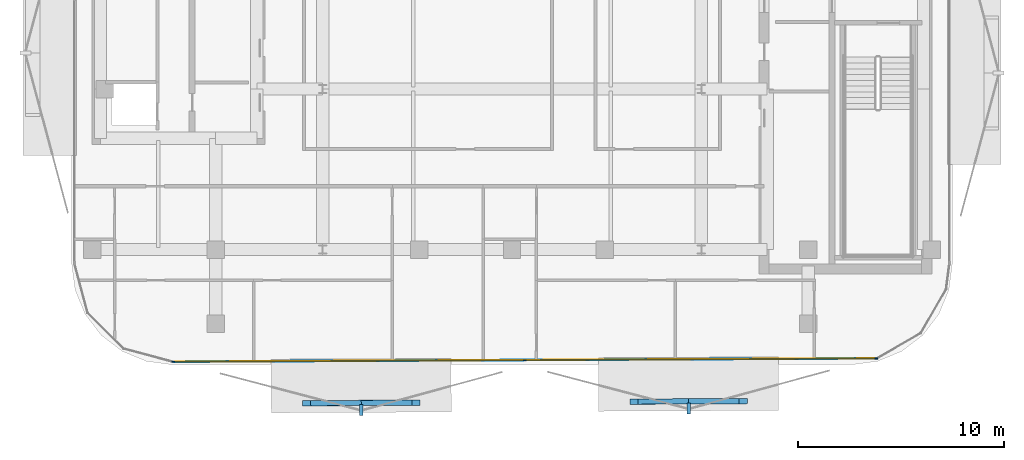
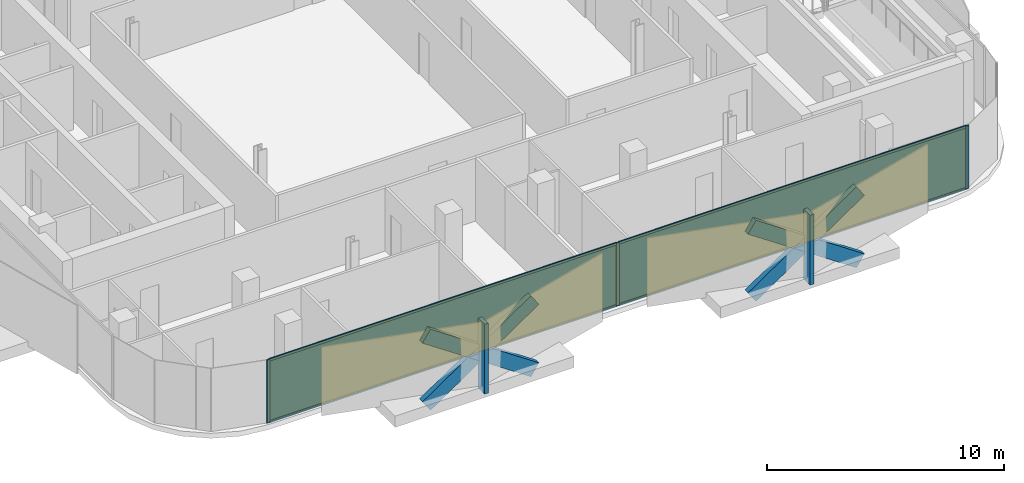
# One storey, part 7 of 15: 13 members, 2 plates, 1 curtain wall.
"""IFC4 building model written with IfcOpenShell, lengths in metres."""

import ifcopenshell
import ifcopenshell.guid

model = None  # the IFC model being written
_history = None  # IfcOwnerHistory: only IFC2X3 demands one
_inside = {}  # id of a spatial element -> (the spatial element, [elements in it])
_under = {}  # id of a project, library or spatial element -> (it, [spatial elements below it])
_declared = {}  # id of a project -> (the project, [libraries it declares])
_typed = {}  # id of a type object -> (the type object, [elements of that type])
_made_of = {}  # id of a material, layer set ... -> (it, [elements and type objects made of it])


def new_model(schema):
    """Start an empty IFC model of exactly this schema.

    Asked for "IFC4X3", IfcOpenShell would pick the latest addendum, in which some entities
    have other attributes; the version numbers below select the first issue.
    IFC2X3 requires an IfcOwnerHistory on every rooted entity: one is made here for all.
    """
    global model, _history
    if schema == "IFC4X3":
        model = ifcopenshell.file(schema_version=(4, 3, 0, 0))
    else:
        model = ifcopenshell.file(schema=schema)
    _inside.clear()
    _under.clear()
    _declared.clear()
    _typed.clear()
    _made_of.clear()
    _history = None
    if model.schema == "IFC2X3":
        org = make("IfcOrganization", Name="unknown")
        user = make(
            "IfcPersonAndOrganization",
            ThePerson=make("IfcPerson", FamilyName="unknown"),
            TheOrganization=org,
        )
        app = make(
            "IfcApplication",
            ApplicationDeveloper=org,
            Version="unknown",
            ApplicationFullName="unknown",
            ApplicationIdentifier="unknown",
        )
        _history = make(
            "IfcOwnerHistory",
            OwningUser=user,
            OwningApplication=app,
            ChangeAction="ADDED",
            CreationDate=0,
        )
    return model


def make(cls, **values):
    """One entity of the class cls with the attributes given. An attribute that is None is left unset."""
    return model.create_entity(
        cls, **{name: value for name, value in values.items() if value is not None}
    )


def rooted(cls, **values):
    """An entity with a GlobalId (a new one), such as an element, a storey or a relation."""
    return make(cls, GlobalId=ifcopenshell.guid.new(), OwnerHistory=_history, **values)


def si_unit(unit_type, name, prefix=None):
    """IfcSIUnit, for example si_unit("LENGTHUNIT", "METRE", prefix="MILLI")."""
    return make("IfcSIUnit", UnitType=unit_type, Prefix=prefix, Name=name)


def assignment(units):
    """IfcUnitAssignment: the units of a project."""
    return None if units is None else make("IfcUnitAssignment", Units=units)


def point(xyz):
    """IfcCartesianPoint."""
    return None if xyz is None else make("IfcCartesianPoint", Coordinates=xyz)


def direction(xyz):
    """IfcDirection."""
    return None if xyz is None else make("IfcDirection", DirectionRatios=xyz)


def frame(location, z_axis=None, x_axis=None):
    """IfcAxis2Placement3D, a coordinate frame: its origin and axes. An axis left out is left unset."""
    return make(
        "IfcAxis2Placement3D",
        Location=point(location),
        Axis=direction(z_axis),
        RefDirection=direction(x_axis),
    )


def frame_2d(location, x_axis=None):
    """IfcAxis2Placement2D, a coordinate frame in the plane: its origin and x axis."""
    return make(
        "IfcAxis2Placement2D", Location=point(location), RefDirection=direction(x_axis)
    )


def origin():
    """The frame at (0, 0, 0) with its axes left unset."""
    return frame((0.0, 0.0, 0.0))


def origin_2d():
    """The frame at (0, 0) in the plane with its x axis left unset."""
    return frame_2d((0.0, 0.0))


def place(relative_to, where):
    """IfcLocalPlacement: puts the frame where relative to a parent placement (None: the world)."""
    return make(
        "IfcLocalPlacement", PlacementRelTo=relative_to, RelativePlacement=where
    )


def context(
    kind, dimensions, precision=None, world=None, true_north=None, identifier=None
):
    """IfcGeometricRepresentationContext, for example the 3D "Model" context."""
    return make(
        "IfcGeometricRepresentationContext",
        ContextIdentifier=identifier,
        ContextType=kind,
        CoordinateSpaceDimension=dimensions,
        Precision=precision,
        WorldCoordinateSystem=world,
        TrueNorth=true_north,
    )


def subcontext(parent, identifier, kind, view, scale=None):
    """IfcGeometricRepresentationSubContext, for example "Body" below "Model"."""
    return make(
        "IfcGeometricRepresentationSubContext",
        ContextIdentifier=identifier,
        ContextType=kind,
        ParentContext=parent,
        TargetScale=scale,
        TargetView=view,
    )


def project(units=None, contexts=None):
    """IfcProject with its units and contexts."""
    return rooted(
        "IfcProject",
        Name="project",
        RepresentationContexts=contexts,
        UnitsInContext=assignment(units),
    )


def spatial(cls, under=None, at=None, **own):
    """A site, building, storey or space (cls), placed at a placement, below another one or the project."""
    s = rooted(cls, ObjectPlacement=at, **own)
    if under is not None:
        _under.setdefault(under.id(), (under, []))[1].append(s)
    return s


def profile(cls, at=None, kind="AREA", **sizes):
    """A parametric profile (cls). Its sizes go by their IFC names, for example OverallWidth=200.0."""
    return make(cls, ProfileType=kind, Position=at, **sizes)


def rectangle(**sizes):
    """IfcRectangleProfileDef."""
    return profile("IfcRectangleProfileDef", **sizes)


def extrude(swept, where, along, depth):
    """IfcExtrudedAreaSolid: the profile swept, set in the frame where, extruded along a direction by depth."""
    return make(
        "IfcExtrudedAreaSolid",
        SweptArea=swept,
        Position=where,
        ExtrudedDirection=direction(along),
        Depth=depth,
    )


def shape(context_of_items, identifier, shape_type, items):
    """IfcShapeRepresentation: the items that make up one representation, for example the "Body"."""
    return make(
        "IfcShapeRepresentation",
        ContextOfItems=context_of_items,
        RepresentationIdentifier=identifier,
        RepresentationType=shape_type,
        Items=items,
    )


def material(Name=None, Category=None):
    """IfcMaterial."""
    return make("IfcMaterial", Name=Name, Category=Category)


def layer(
    of_material, thickness, ventilated=None, Name=None, Category=None, Priority=None
):
    """IfcMaterialLayer: one layer of a wall or slab, of a material (None: an air gap)."""
    return make(
        "IfcMaterialLayer",
        Material=of_material,
        LayerThickness=thickness,
        IsVentilated=ventilated,
        Name=Name,
        Category=Category,
        Priority=Priority,
    )


def layer_set(layers, Name=None):
    """IfcMaterialLayerSet."""
    return make("IfcMaterialLayerSet", MaterialLayers=layers, LayerSetName=Name)


def material_profile(
    of_material, cross_section, Name=None, Category=None, Priority=None
):
    """IfcMaterialProfile: a cross section and its material."""
    return make(
        "IfcMaterialProfile",
        Name=Name,
        Material=of_material,
        Profile=cross_section,
        Priority=Priority,
        Category=Category,
    )


def profile_set(profiles, Name=None, composite=None):
    """IfcMaterialProfileSet."""
    return make(
        "IfcMaterialProfileSet",
        Name=Name,
        MaterialProfiles=profiles,
        CompositeProfile=composite,
    )


def made_of(thing, what):
    """Note that an element or type object is made of a material, layer set ...; save() writes the relation."""
    if what is not None:
        _made_of.setdefault(what.id(), (what, []))[1].append(thing)
    return thing


def type_object(cls, material=None, **own):
    """A type object (cls), such as IfcWallType, which elements share."""
    return made_of(rooted(cls, **own), material)


def element(
    cls,
    number,
    at=None,
    inside=None,
    cuts=None,
    type_object=None,
    material=None,
    context=None,
    identifier="Body",
    shape_type=None,
    held_by="IfcProductDefinitionShape",
    body=None,
    shapes=None,
    **own,
):
    """One element of the class cls, such as IfcWall. Its Tag is "e" and its number.

    at: its placement. inside: the storey or other place that contains it. cuts: it is an
    opening in that element (IfcRelVoidsElement). A single representation is given by context,
    identifier, shape_type and body (its items); several are given by shapes. held_by: the class
    of the entity that holds the representations. save() writes the other relations.
    """
    e = rooted(cls, Tag="e%d" % number, ObjectPlacement=at, **own)
    if body is not None:
        shapes = [shape(context, identifier, shape_type, body)]
    if shapes is not None:
        e.Representation = make(held_by, Representations=shapes)
    if inside is not None:
        _inside.setdefault(inside.id(), (inside, []))[1].append(e)
    if cuts is not None:
        rooted(
            "IfcRelVoidsElement", RelatingBuildingElement=cuts, RelatedOpeningElement=e
        )
    if type_object is not None:
        _typed.setdefault(type_object.id(), (type_object, []))[1].append(e)
    return made_of(e, material)


def aggregate(whole, parts):
    """IfcRelAggregates: a whole, such as a stair, and the parts it consists of."""
    return rooted("IfcRelAggregates", RelatingObject=whole, RelatedObjects=parts)


def save(model, path):
    """Write the relations noted so far, then the file.

    IfcRelAggregates (storeys below a building ...), IfcRelContainedInSpatialStructure (elements
    in a storey), IfcRelDefinesByType, IfcRelAssociatesMaterial and IfcRelDeclares: one each for
    every whole, place, type object, material and project.
    """
    for whole, parts in _under.values():
        aggregate(whole, parts)
    for where, things in _inside.values():
        rooted(
            "IfcRelContainedInSpatialStructure",
            RelatedElements=things,
            RelatingStructure=where,
        )
    for kind, things in _typed.values():
        rooted("IfcRelDefinesByType", RelatedObjects=things, RelatingType=kind)
    for what, things in _made_of.values():
        rooted("IfcRelAssociatesMaterial", RelatedObjects=things, RelatingMaterial=what)
    for by, libraries in _declared.values():
        rooted("IfcRelDeclares", RelatingContext=by, RelatedDefinitions=libraries)
    model.write(path)


model = new_model("IFC4")

# Units and contexts
model_context = context("Model", 3, precision=1e-05, world=origin(), true_north=direction((0.0, 1.0)))
body_context = subcontext(model_context, "Body", "Model", "MODEL_VIEW")
ifc_project = project(units=[si_unit("LENGTHUNIT", "METRE"), si_unit("AREAUNIT", "SQUARE_METRE"), si_unit("VOLUMEUNIT", "CUBIC_METRE"), si_unit("PLANEANGLEUNIT", "RADIAN"), si_unit("MASSUNIT", "GRAM", prefix="KILO")], contexts=[model_context])

# Member
ifc_material_1 = material(Name="Anodised Bronze Aluminium 6063-T6", Category="aluminium")
ifc_material_profile_1 = material_profile(ifc_material_1, rectangle(XDim=0.260009765625, YDim=0.699951171875, at=origin_2d()))
ifc_profile_set_1 = profile_set([ifc_material_profile_1], Name="Anodised Bronze Aluminium 6063-T6")
member_type_1 = type_object("IfcMemberType", Name="Bronze Diamond Solar-Screen Lattice Rib BDL-700", PredefinedType="MULLION", material=ifc_profile_set_1)
site_placement = place(None, origin())
building_placement = place(site_placement, origin())
storey_placement = place(building_placement, frame((0.0, 0.0, 269.199951171875)))
member_1_placement = place(storey_placement, frame((11.23779296875, -25.967529296875, -0.1298828125), z_axis=(-0.827415560084, -0.003960930644, 0.561576176453), x_axis=(-0.007433328889, 0.999964770566, -0.003899134213)))
member_1 = element("IfcMember", 1, at=member_1_placement, type_object=member_type_1, Name="L64 Bronze Diamond Solar Screen Lattice Rib 441A", PredefinedType="MULLION", context=body_context, shape_type="SweptSolid", body=[
    extrude(rectangle(XDim=0.260009765625, YDim=0.699951171875, at=origin_2d()), origin(), (0.0, 0.0, 1.0), 6.41015625),
])

member_2_placement = place(storey_placement, frame((5.933837890625, -25.992919921875, -0.1298828125), z_axis=(0.827415560084, 0.003960930644, 0.561576176453), x_axis=(0.007433328889, -0.999964770566, -0.003899134213)))
member_2 = element("IfcMember", 2, at=member_2_placement, type_object=member_type_1, Name="L64 Bronze Diamond Solar Screen Lattice Rib 441B", PredefinedType="MULLION", context=body_context, shape_type="SweptSolid", body=[
    extrude(rectangle(XDim=0.260009765625, YDim=0.699951171875, at=origin_2d()), origin(), (0.0, 0.0, 1.0), 6.41015625),
])

member_3_placement = place(storey_placement, frame((-4.673583984375, -26.043701171875, -0.1298828125), z_axis=(-0.827403672087, -0.003922968985, 0.561593958061), x_axis=(-0.007387603649, 0.999965109645, -0.003899077341)))
member_3 = element("IfcMember", 3, at=member_3_placement, type_object=member_type_1, Name="L64 Bronze Diamond Solar Screen Lattice Rib 442A", PredefinedType="MULLION", context=body_context, shape_type="SweptSolid", body=[
    extrude(rectangle(XDim=0.260009765625, YDim=0.699951171875, at=origin_2d()), origin(), (0.0, 0.0, 1.0), 6.41015625),
])

member_4_placement = place(storey_placement, frame((-9.977294921875, -26.06884765625, -0.1298828125), z_axis=(0.827403672087, 0.003922968985, 0.561593958061), x_axis=(0.007387603649, -0.999965109645, -0.003899077341)))
member_4 = element("IfcMember", 4, at=member_4_placement, type_object=member_type_1, Name="L64 Bronze Diamond Solar Screen Lattice Rib 442B", PredefinedType="MULLION", context=body_context, shape_type="SweptSolid", body=[
    extrude(rectangle(XDim=0.260009765625, YDim=0.699951171875, at=origin_2d()), origin(), (0.0, 0.0, 1.0), 6.41015625),
])

ifc_material_2 = material(Name="Anodised Bronze Aluminium 6063-T6", Category="aluminium")
ifc_material_profile_2 = material_profile(ifc_material_2, rectangle(XDim=0.179931640625, YDim=0.5400390625, at=origin_2d()))
ifc_profile_set_2 = profile_set([ifc_material_profile_2], Name="Anodised Bronze Aluminium 6063-T6")
member_type_2 = type_object("IfcMemberType", Name="Bronze Solar-Screen Vertical Fold Fin BSF-540", PredefinedType="MULLION", material=ifc_profile_set_2)
member_5_placement = place(storey_placement, frame((8.58740234375, -26.3203125, -0.1298828125), z_axis=(0.0, 0.0, 1.0), x_axis=(-0.999988896716, -0.004712371539, 0.0)))
member_5 = element("IfcMember", 5, at=member_5_placement, type_object=member_type_2, Name="L64 Bronze Solar Screen Vertical Fin 441", PredefinedType="MULLION", context=body_context, shape_type="SweptSolid", body=[
    extrude(rectangle(XDim=0.179931640625, YDim=0.5400390625, at=origin_2d()), origin(), (0.0, 0.0, 1.0), 3.599853515625),
])

member_6_placement = place(storey_placement, frame((-7.32373046875, -26.396240234375, -0.1298828125), z_axis=(0.0, 0.0, 1.0), x_axis=(-0.999988896716, -0.004712371539, 0.0)))
member_6 = element("IfcMember", 6, at=member_6_placement, type_object=member_type_2, Name="L64 Bronze Solar Screen Vertical Fin 442", PredefinedType="MULLION", context=body_context, shape_type="SweptSolid", body=[
    extrude(rectangle(XDim=0.179931640625, YDim=0.5400390625, at=origin_2d()), origin(), (0.0, 0.0, 1.0), 3.599853515625),
])

ifc_material_3 = material(Name="Anodised Bronze Aluminium 6063-T6", Category="aluminium")
ifc_material_profile_3 = material_profile(ifc_material_3, rectangle(XDim=0.06005859375, YDim=0.159912109375, at=origin_2d()))
ifc_profile_set_3 = profile_set([ifc_material_profile_3], Name="Anodised Bronze Aluminium 6063-T6")
member_type_3 = type_object("IfcMemberType", Name="CW-Z4 Mullion 60x160", PredefinedType="MULLION", material=ifc_profile_set_3)
member_7_placement = place(storey_placement, frame((17.70166015625, -23.896728515625, 0.0), z_axis=(0.0, 0.0, 1.0), x_axis=(0.004774582141, -0.999988601618, 0.0)))
member_7 = element("IfcMember", 7, at=member_7_placement, type_object=member_type_3, Name="CW-Z4 mullion 1", PredefinedType="MULLION", context=body_context, shape_type="SweptSolid", body=[
    extrude(rectangle(XDim=0.06005859375, YDim=0.159912109375, at=origin_2d()), origin(), (0.0, 0.0, 1.0), 3.25),
])

member_8_placement = place(storey_placement, frame((0.620361328125, -23.978271484375, 0.0), z_axis=(0.0, 0.0, 1.0), x_axis=(0.004774582141, -0.999988601618, 0.0)))
member_8 = element("IfcMember", 8, at=member_8_placement, type_object=member_type_3, Name="CW-Z4 mullion 2", PredefinedType="MULLION", context=body_context, shape_type="SweptSolid", body=[
    extrude(rectangle(XDim=0.06005859375, YDim=0.159912109375, at=origin_2d()), origin(), (0.0, 0.0, 1.0), 3.25),
])

member_9_placement = place(storey_placement, frame((-16.460693359375, -24.059814453125, 0.0), z_axis=(0.0, 0.0, 1.0), x_axis=(0.004774582141, -0.999988601618, 0.0)))
member_9 = element("IfcMember", 9, at=member_9_placement, type_object=member_type_3, Name="CW-Z4 mullion 3", PredefinedType="MULLION", context=body_context, shape_type="SweptSolid", body=[
    extrude(rectangle(XDim=0.06005859375, YDim=0.159912109375, at=origin_2d()), origin(), (0.0, 0.0, 1.0), 3.25),
])

ifc_material_4 = material(Name="Anodised Bronze Aluminium 6063-T6", Category="aluminium")
ifc_material_profile_4 = material_profile(ifc_material_4, rectangle(XDim=0.06005859375, YDim=0.125, at=origin_2d()))
ifc_profile_set_4 = profile_set([ifc_material_profile_4], Name="Anodised Bronze Aluminium 6063-T6")
member_type_4 = type_object("IfcMemberType", Name="CW-Z4 Transom 60x125", PredefinedType="USERDEFINED", material=ifc_profile_set_4)
member_10_placement = place(storey_placement, frame((17.671630859375, -23.89697265625, 0.030029296875), z_axis=(-0.999988593596, -0.004776261875, 0.0), x_axis=(0.004776261875, -0.999988593596, 0.0)))
member_10 = element("IfcMember", 10, at=member_10_placement, type_object=member_type_4, Name="CW-Z4 transom 1.1", ObjectType="TRANSOM", PredefinedType="USERDEFINED", context=body_context, shape_type="SweptSolid", body=[
    extrude(rectangle(XDim=0.06005859375, YDim=0.125, at=origin_2d()), origin(), (0.0, 0.0, 1.0), 17.021484375),
])

member_11_placement = place(storey_placement, frame((17.671630859375, -23.89697265625, 3.219970703125), z_axis=(-0.999988593596, -0.004776261875, 0.0), x_axis=(0.004776261875, -0.999988593596, 0.0)))
member_11 = element("IfcMember", 11, at=member_11_placement, type_object=member_type_4, Name="CW-Z4 transom 1.2", ObjectType="TRANSOM", PredefinedType="USERDEFINED", context=body_context, shape_type="SweptSolid", body=[
    extrude(rectangle(XDim=0.06005859375, YDim=0.125, at=origin_2d()), origin(), (0.0, 0.0, 1.0), 17.021484375),
])

member_12_placement = place(storey_placement, frame((0.59033203125, -23.978515625, 0.030029296875), z_axis=(-0.999988593596, -0.004776261875, 0.0), x_axis=(0.004776261875, -0.999988593596, 0.0)))
member_12 = element("IfcMember", 12, at=member_12_placement, type_object=member_type_4, Name="CW-Z4 transom 2.1", ObjectType="TRANSOM", PredefinedType="USERDEFINED", context=body_context, shape_type="SweptSolid", body=[
    extrude(rectangle(XDim=0.06005859375, YDim=0.125, at=origin_2d()), origin(), (0.0, 0.0, 1.0), 17.021484375),
])

member_13_placement = place(storey_placement, frame((0.59033203125, -23.978515625, 3.219970703125), z_axis=(-0.999988593596, -0.004776261875, 0.0), x_axis=(0.004776261875, -0.999988593596, 0.0)))
member_13 = element("IfcMember", 13, at=member_13_placement, type_object=member_type_4, Name="CW-Z4 transom 2.2", ObjectType="TRANSOM", PredefinedType="USERDEFINED", context=body_context, shape_type="SweptSolid", body=[
    extrude(rectangle(XDim=0.06005859375, YDim=0.125, at=origin_2d()), origin(), (0.0, 0.0, 1.0), 17.021484375),
])

# Plate
ifc_material_5 = material(Name="Low-E Solar Control Laminated Glass", Category="glass")
ifc_layer_1 = layer(ifc_material_5, 0.030029296875, Name="Low-E Solar Control Laminated Glass")
ifc_layer_set_1 = layer_set([ifc_layer_1], Name="Low-E Solar Control Laminated Glass")
plate_type = type_object("IfcPlateType", Name="CW-Z4 Low-E Double Glazed Panel 30mm", PredefinedType="CURTAIN_PANEL", material=ifc_layer_set_1)
plate_1_placement = place(storey_placement, frame((9.1611328125, -23.9375, 0.06005859375), z_axis=(0.0, 0.0, 1.0), x_axis=(-0.999988601618, -0.004774582141, 0.0)))
plate_1 = element("IfcPlate", 14, at=plate_1_placement, type_object=plate_type, Name="CW-Z4 panel 1.1", PredefinedType="CURTAIN_PANEL", context=body_context, shape_type="SweptSolid", body=[
    extrude(rectangle(XDim=17.021484375, YDim=0.030029296875, at=origin_2d()), origin(), (0.0, 0.0, 1.0), 3.1298828125),
])

plate_2_placement = place(storey_placement, frame((-7.920166015625, -24.01904296875, 0.06005859375), z_axis=(0.0, 0.0, 1.0), x_axis=(-0.999988601618, -0.004774582141, 0.0)))
plate_2 = element("IfcPlate", 15, at=plate_2_placement, type_object=plate_type, Name="CW-Z4 panel 2.1", PredefinedType="CURTAIN_PANEL", context=body_context, shape_type="SweptSolid", body=[
    extrude(rectangle(XDim=17.021484375, YDim=0.030029296875, at=origin_2d()), origin(), (0.0, 0.0, 1.0), 3.1298828125),
])

# Site, building, storey
site = spatial("IfcSite", under=ifc_project, at=site_placement, CompositionType="ELEMENT")
building = spatial("IfcBuilding", under=site, at=building_placement, Name="Khairoan Windgate Tower", CompositionType="ELEMENT")
storey = spatial("IfcBuildingStorey", under=building, at=storey_placement, Name="L64", CompositionType="ELEMENT", Elevation=269.199951171875)

# Curtain wall
ifc_material_6 = material(Name="Anodised Bronze Aluminium 6063-T6", Category="aluminium")
ifc_layer_2 = layer(ifc_material_6, 0.159912109375, Name="Anodised Bronze Aluminium 6063-T6")
ifc_layer_set_2 = layer_set([ifc_layer_2], Name="Anodised Bronze Aluminium 6063-T6")
curtain_wall_type = type_object("IfcCurtainWallType", Name="Sky Residence Unitised Curtain Wall CW-Z4", PredefinedType="NOTDEFINED", material=ifc_layer_set_2)
curtain_wall_placement = place(storey_placement, frame((17.731689453125, -23.896484375, 0.0), z_axis=(0.0, 0.0, 1.0), x_axis=(-0.99998857724, -0.004779685013, 0.0)))
curtain_wall = element("IfcCurtainWall", 16, at=curtain_wall_placement, inside=storey, type_object=curtain_wall_type, Name="L64 Unitised Curtain Wall 1", PredefinedType="NOTDEFINED", context=body_context, shape_type="SweptSolid", body=[
    extrude(rectangle(XDim=34.222900390625, YDim=0.010009765625, at=frame_2d((17.111328125, 0.0))), origin(), (0.0, 0.0, 1.0), 3.25),
])

aggregate(curtain_wall, [member_7, member_8, member_9, member_10, member_11, plate_1, member_12, member_13, plate_2, member_1, member_2, member_5, member_3, member_4, member_6])

save(model, "model.ifc")
